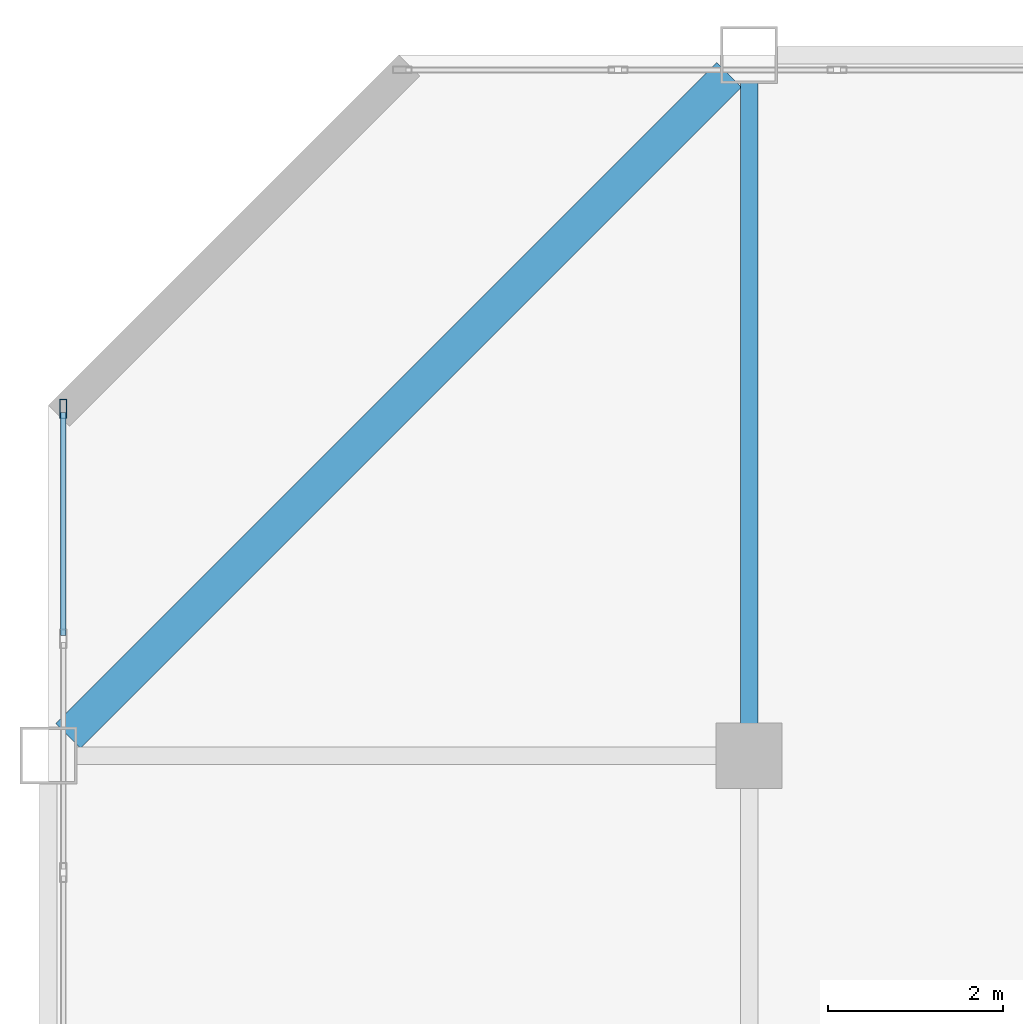
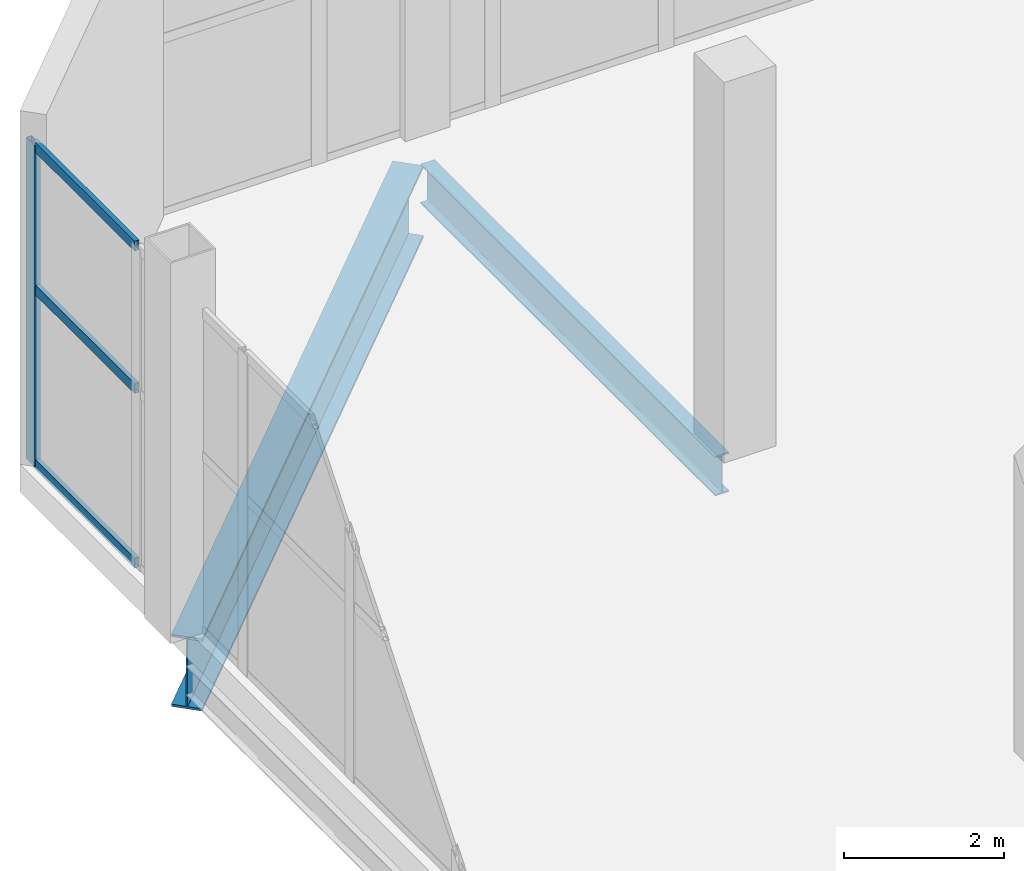
# One storey, part 6 of 18: 4 members, 2 beams, 1 element without a shape of its own.
"""IFC4 building model written with IfcOpenShell, lengths in metres."""

from ifc_helpers import new_model, si_unit, direction, frame, origin, origin_2d, place, context, subcontext, project, spatial, hollow_rectangle, i_section, extrude, material, layer, layer_set, material_profile, profile_set, type_object, element, aggregate, save


model = new_model("IFC4")

# Units and contexts
model_context = context("Model", 3, precision=1e-05, world=origin(), true_north=direction((0.0, 1.0)))
body_context = subcontext(model_context, "Body", "Model", "MODEL_VIEW")
ifc_project = project(units=[si_unit("LENGTHUNIT", "METRE"), si_unit("AREAUNIT", "SQUARE_METRE"), si_unit("VOLUMEUNIT", "CUBIC_METRE"), si_unit("PLANEANGLEUNIT", "RADIAN"), si_unit("MASSUNIT", "GRAM", prefix="KILO")], contexts=[model_context])

# Site, building, storey
site_placement = place(None, origin())
site = spatial("IfcSite", under=ifc_project, at=site_placement, CompositionType="ELEMENT")
building_placement = place(site_placement, origin())
building = spatial("IfcBuilding", under=site, at=building_placement, Name="Qianrong Seaharbour Tower", CompositionType="ELEMENT")
storey_placement = place(building_placement, frame((0.0, 0.0, 367.199951171875)))
storey = spatial("IfcBuildingStorey", under=building, at=storey_placement, Name="L89", CompositionType="ELEMENT", Elevation=367.199951171875)

# Beams
ifc_material_1 = material(Name="Structural steel SN490B", Category="steel")
ifc_material_profile_1 = material_profile(ifc_material_1, i_section(OverallWidth=0.199951171875, OverallDepth=0.60009765625, WebThickness=0.010986328125, FlangeThickness=0.01708984375, FilletRadius=0.02197265625, at=origin_2d()), Name="H600x200x11x17")
ifc_profile_set_1 = profile_set([ifc_material_profile_1], Name="Structural steel SN490B")
beam_type_1 = type_object("IfcBeamType", Name="BM-G-600", PredefinedType="BEAM", material=ifc_profile_set_1)
beam_1_placement = place(storey_placement, frame((24.5, 44.320068359375, -0.719970703125), z_axis=(0.0, 1.0, 0.0), x_axis=(-1.0, 0.0, 0.0)))
element("IfcBeam", 1, at=beam_1_placement, inside=storey, type_object=beam_type_1, Name="L89 Primary Girder G4 GG-GH", PredefinedType="BEAM", context=body_context, shape_type="SweptSolid", body=[
    extrude(i_section(OverallWidth=0.199951171875, OverallDepth=0.60009765625, WebThickness=0.010986328125, FlangeThickness=0.01708984375, FilletRadius=0.02197265625, at=origin_2d()), origin(), (0.0, 0.0, 1.0), 7.35986328125),
])
ifc_material_profile_2 = material_profile(ifc_material_1, i_section(OverallWidth=0.39990234375, OverallDepth=1.10009765625, WebThickness=0.02001953125, FlangeThickness=0.035888671875, at=origin_2d()), Name="BH1100x400x20x36")
ifc_profile_set_2 = profile_set([ifc_material_profile_2], Name="Structural steel SN490B")
beam_type_2 = type_object("IfcBeamType", Name="BM-TG-1100", PredefinedType="BEAM", material=ifc_profile_set_2)
beam_2_placement = place(storey_placement, frame((24.273681640625, 51.773681640625, -0.969970703125), z_axis=(-0.707106781187, -0.707106781187, 0.0), x_axis=(0.707106781187, -0.707106781187, 0.0)))
element("IfcBeam", 2, at=beam_2_placement, inside=storey, type_object=beam_type_2, Name="L89 Chamfer Corner Spandrel Girder G3/GH", PredefinedType="BEAM", context=body_context, shape_type="SweptSolid", body=[
    extrude(i_section(OverallWidth=0.39990234375, OverallDepth=1.10009765625, WebThickness=0.02001953125, FlangeThickness=0.035888671875, at=origin_2d()), origin(), (0.0, 0.0, 1.0), 10.673583984375),
])

# Curtain wall, members
ifc_material_2 = material(Name="Anodised aluminium 6063-T6 and laminated low-e glass", Category="aluminium")
ifc_layer = layer(ifc_material_2, 0.22998046875)
ifc_layer_set = layer_set([ifc_layer], Name="Anodised aluminium 6063-T6 and laminated low-e glass")
curtain_wall_type = type_object("IfcCurtainWallType", Name="CW-SYS-5", PredefinedType="NOTDEFINED", material=ifc_layer_set)
curtain_wall_placement = place(storey_placement, origin())
curtain_wall = element("IfcCurtainWall", 3, at=curtain_wall_placement, inside=storey, type_object=curtain_wall_type, Name="L89 Venturi Wind-Turbine Shroud Curtain Wall WEST_TIP", PredefinedType="NOTDEFINED")
ifc_material_3 = material(Name="Extruded aluminium 6063-T6", Category="aluminium")
ifc_material_profile_3 = material_profile(ifc_material_3, hollow_rectangle(XDim=0.080078125, YDim=0.219970703125, WallThickness=0.0048828125, at=origin_2d()), Name="ALU-MUL-220x80x5")
ifc_profile_set_3 = profile_set([ifc_material_profile_3], Name="Extruded aluminium 6063-T6")
member_type_1 = type_object("IfcMemberType", Name="CW-MUL-220", PredefinedType="MULLION", material=ifc_profile_set_3)
member_1_placement = place(storey_placement, frame((16.669921875, 47.9599609375, 0.0), z_axis=(0.0, 0.0, 1.0), x_axis=(-1.0, 0.0, 0.0)))
member_1 = element("IfcMember", 4, at=member_1_placement, type_object=member_type_1, Name="CW-5 mullion 7", PredefinedType="MULLION", context=body_context, shape_type="SweptSolid", body=[
    extrude(hollow_rectangle(XDim=0.080078125, YDim=0.219970703125, WallThickness=0.0048828125, at=origin_2d()), origin(), (0.0, 0.0, 1.0), 4.900146484375),
])
ifc_material_profile_4 = material_profile(ifc_material_3, hollow_rectangle(XDim=0.06494140625, YDim=0.14990234375, WallThickness=0.00390625, at=origin_2d()), Name="ALU-TRN-150x65x4")
ifc_profile_set_4 = profile_set([ifc_material_profile_4], Name="Extruded aluminium 6063-T6")
member_type_2 = type_object("IfcMemberType", Name="CW-TRN-150", PredefinedType="USERDEFINED", material=ifc_profile_set_4)
member_2_placement = place(storey_placement, frame((16.669921875, 45.373291015625, 0.032470703125), z_axis=(0.0, 1.0, 0.0), x_axis=(-1.0, 0.0, 0.0)))
member_2 = element("IfcMember", 5, at=member_2_placement, type_object=member_type_2, Name="CW-5 transom 6.1", ObjectType="TRANSOM", PredefinedType="USERDEFINED", context=body_context, shape_type="SweptSolid", body=[
    extrude(hollow_rectangle(XDim=0.06494140625, YDim=0.14990234375, WallThickness=0.00390625, at=origin_2d()), origin(), (0.0, 0.0, 1.0), 2.546630859375),
])
member_3_placement = place(storey_placement, frame((16.669921875, 45.373291015625, 2.695068359375), z_axis=(0.0, 1.0, 0.0), x_axis=(-1.0, 0.0, 0.0)))
member_3 = element("IfcMember", 6, at=member_3_placement, type_object=member_type_2, Name="CW-5 transom 6.2", ObjectType="TRANSOM", PredefinedType="USERDEFINED", context=body_context, shape_type="SweptSolid", body=[
    extrude(hollow_rectangle(XDim=0.06494140625, YDim=0.14990234375, WallThickness=0.00390625, at=origin_2d()), origin(), (0.0, 0.0, 1.0), 2.546630859375),
])
member_4_placement = place(storey_placement, frame((16.669921875, 45.373291015625, 4.867431640625), z_axis=(0.0, 1.0, 0.0), x_axis=(-1.0, 0.0, 0.0)))
member_4 = element("IfcMember", 7, at=member_4_placement, type_object=member_type_2, Name="CW-5 transom 6.3", ObjectType="TRANSOM", PredefinedType="USERDEFINED", context=body_context, shape_type="SweptSolid", body=[
    extrude(hollow_rectangle(XDim=0.06494140625, YDim=0.14990234375, WallThickness=0.00390625, at=origin_2d()), origin(), (0.0, 0.0, 1.0), 2.546630859375),
])
aggregate(curtain_wall, [member_1, member_2, member_3, member_4])

save(model, "model.ifc")
